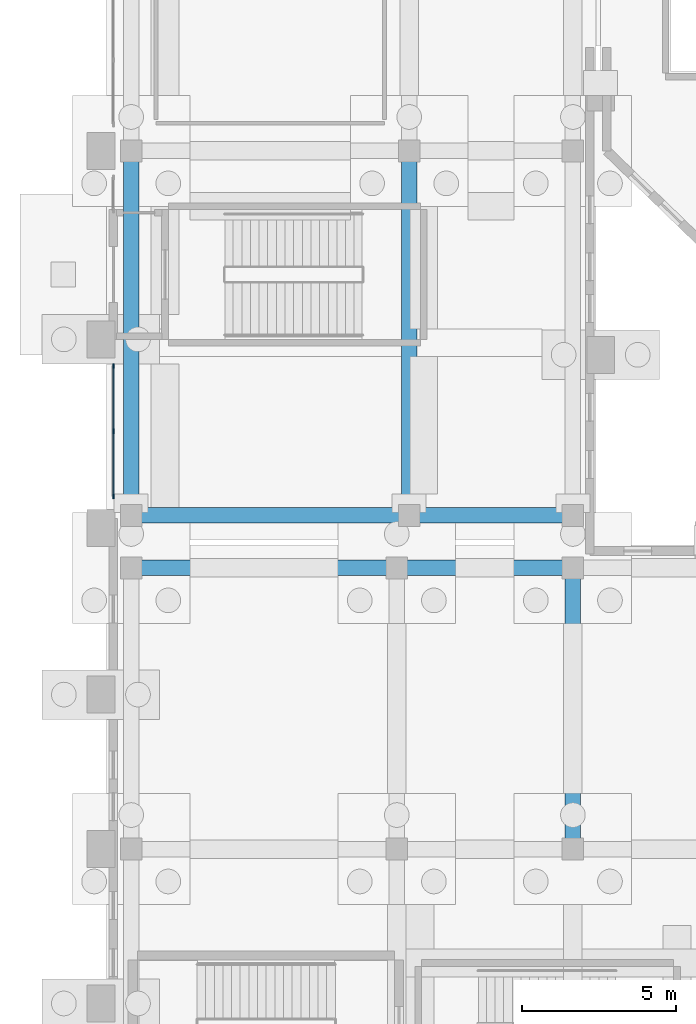
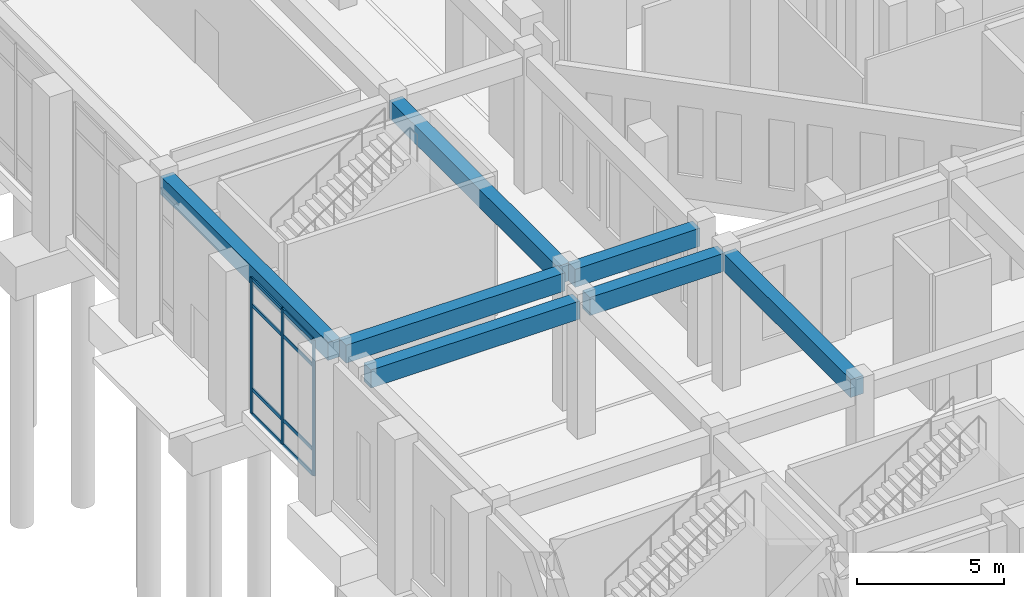
# One storey, part 23 of 143: 11 members, 7 beams, 1 element without a shape of its own.
"""IFC4 building model written with IfcOpenShell, lengths in metres."""

import ifcopenshell
import ifcopenshell.guid

model = None  # the IFC model being written
_history = None  # IfcOwnerHistory: only IFC2X3 demands one
_inside = {}  # id of a spatial element -> (the spatial element, [elements in it])
_under = {}  # id of a project, library or spatial element -> (it, [spatial elements below it])
_declared = {}  # id of a project -> (the project, [libraries it declares])
_typed = {}  # id of a type object -> (the type object, [elements of that type])
_made_of = {}  # id of a material, layer set ... -> (it, [elements and type objects made of it])


def new_model(schema):
    """Start an empty IFC model of exactly this schema.

    Asked for "IFC4X3", IfcOpenShell would pick the latest addendum, in which some entities
    have other attributes; the version numbers below select the first issue.
    IFC2X3 requires an IfcOwnerHistory on every rooted entity: one is made here for all.
    """
    global model, _history
    if schema == "IFC4X3":
        model = ifcopenshell.file(schema_version=(4, 3, 0, 0))
    else:
        model = ifcopenshell.file(schema=schema)
    _inside.clear()
    _under.clear()
    _declared.clear()
    _typed.clear()
    _made_of.clear()
    _history = None
    if model.schema == "IFC2X3":
        org = make("IfcOrganization", Name="unknown")
        user = make(
            "IfcPersonAndOrganization",
            ThePerson=make("IfcPerson", FamilyName="unknown"),
            TheOrganization=org,
        )
        app = make(
            "IfcApplication",
            ApplicationDeveloper=org,
            Version="unknown",
            ApplicationFullName="unknown",
            ApplicationIdentifier="unknown",
        )
        _history = make(
            "IfcOwnerHistory",
            OwningUser=user,
            OwningApplication=app,
            ChangeAction="ADDED",
            CreationDate=0,
        )
    return model


def make(cls, **values):
    """One entity of the class cls with the attributes given. An attribute that is None is left unset."""
    return model.create_entity(
        cls, **{name: value for name, value in values.items() if value is not None}
    )


def rooted(cls, **values):
    """An entity with a GlobalId (a new one), such as an element, a storey or a relation."""
    return make(cls, GlobalId=ifcopenshell.guid.new(), OwnerHistory=_history, **values)


def si_unit(unit_type, name, prefix=None):
    """IfcSIUnit, for example si_unit("LENGTHUNIT", "METRE", prefix="MILLI")."""
    return make("IfcSIUnit", UnitType=unit_type, Prefix=prefix, Name=name)


def derived_unit(unit_type, elements):
    """IfcDerivedUnit: a product of units, each with its exponent."""
    return make(
        "IfcDerivedUnit",
        Elements=[
            make("IfcDerivedUnitElement", Unit=unit, Exponent=power)
            for unit, power in elements
        ],
        UnitType=unit_type,
    )


def assignment(units):
    """IfcUnitAssignment: the units of a project."""
    return None if units is None else make("IfcUnitAssignment", Units=units)


def point(xyz):
    """IfcCartesianPoint."""
    return None if xyz is None else make("IfcCartesianPoint", Coordinates=xyz)


def direction(xyz):
    """IfcDirection."""
    return None if xyz is None else make("IfcDirection", DirectionRatios=xyz)


def frame(location, z_axis=None, x_axis=None):
    """IfcAxis2Placement3D, a coordinate frame: its origin and axes. An axis left out is left unset."""
    return make(
        "IfcAxis2Placement3D",
        Location=point(location),
        Axis=direction(z_axis),
        RefDirection=direction(x_axis),
    )


def frame_2d(location, x_axis=None):
    """IfcAxis2Placement2D, a coordinate frame in the plane: its origin and x axis."""
    return make(
        "IfcAxis2Placement2D", Location=point(location), RefDirection=direction(x_axis)
    )


def origin():
    """The frame at (0, 0, 0) with its axes left unset."""
    return frame((0.0, 0.0, 0.0))


def origin_2d():
    """The frame at (0, 0) in the plane with its x axis left unset."""
    return frame_2d((0.0, 0.0))


def place(relative_to, where):
    """IfcLocalPlacement: puts the frame where relative to a parent placement (None: the world)."""
    return make(
        "IfcLocalPlacement", PlacementRelTo=relative_to, RelativePlacement=where
    )


def context(
    kind, dimensions, precision=None, world=None, true_north=None, identifier=None
):
    """IfcGeometricRepresentationContext, for example the 3D "Model" context."""
    return make(
        "IfcGeometricRepresentationContext",
        ContextIdentifier=identifier,
        ContextType=kind,
        CoordinateSpaceDimension=dimensions,
        Precision=precision,
        WorldCoordinateSystem=world,
        TrueNorth=true_north,
    )


def subcontext(parent, identifier, kind, view, scale=None):
    """IfcGeometricRepresentationSubContext, for example "Body" below "Model"."""
    return make(
        "IfcGeometricRepresentationSubContext",
        ContextIdentifier=identifier,
        ContextType=kind,
        ParentContext=parent,
        TargetScale=scale,
        TargetView=view,
    )


def project(units=None, contexts=None):
    """IfcProject with its units and contexts."""
    return rooted(
        "IfcProject",
        Name="project",
        RepresentationContexts=contexts,
        UnitsInContext=assignment(units),
    )


def spatial(cls, under=None, at=None, **own):
    """A site, building, storey or space (cls), placed at a placement, below another one or the project."""
    s = rooted(cls, ObjectPlacement=at, **own)
    if under is not None:
        _under.setdefault(under.id(), (under, []))[1].append(s)
    return s


def profile(cls, at=None, kind="AREA", **sizes):
    """A parametric profile (cls). Its sizes go by their IFC names, for example OverallWidth=200.0."""
    return make(cls, ProfileType=kind, Position=at, **sizes)


def rectangle(**sizes):
    """IfcRectangleProfileDef."""
    return profile("IfcRectangleProfileDef", **sizes)


def extrude(swept, where, along, depth):
    """IfcExtrudedAreaSolid: the profile swept, set in the frame where, extruded along a direction by depth."""
    return make(
        "IfcExtrudedAreaSolid",
        SweptArea=swept,
        Position=where,
        ExtrudedDirection=direction(along),
        Depth=depth,
    )


def shape(context_of_items, identifier, shape_type, items):
    """IfcShapeRepresentation: the items that make up one representation, for example the "Body"."""
    return make(
        "IfcShapeRepresentation",
        ContextOfItems=context_of_items,
        RepresentationIdentifier=identifier,
        RepresentationType=shape_type,
        Items=items,
    )


def material(Name=None, Category=None):
    """IfcMaterial."""
    return make("IfcMaterial", Name=Name, Category=Category)


def layer(
    of_material, thickness, ventilated=None, Name=None, Category=None, Priority=None
):
    """IfcMaterialLayer: one layer of a wall or slab, of a material (None: an air gap)."""
    return make(
        "IfcMaterialLayer",
        Material=of_material,
        LayerThickness=thickness,
        IsVentilated=ventilated,
        Name=Name,
        Category=Category,
        Priority=Priority,
    )


def layer_set(layers, Name=None):
    """IfcMaterialLayerSet."""
    return make("IfcMaterialLayerSet", MaterialLayers=layers, LayerSetName=Name)


def material_profile(
    of_material, cross_section, Name=None, Category=None, Priority=None
):
    """IfcMaterialProfile: a cross section and its material."""
    return make(
        "IfcMaterialProfile",
        Name=Name,
        Material=of_material,
        Profile=cross_section,
        Priority=Priority,
        Category=Category,
    )


def profile_set(profiles, Name=None, composite=None):
    """IfcMaterialProfileSet."""
    return make(
        "IfcMaterialProfileSet",
        Name=Name,
        MaterialProfiles=profiles,
        CompositeProfile=composite,
    )


def made_of(thing, what):
    """Note that an element or type object is made of a material, layer set ...; save() writes the relation."""
    if what is not None:
        _made_of.setdefault(what.id(), (what, []))[1].append(thing)
    return thing


def type_object(cls, material=None, **own):
    """A type object (cls), such as IfcWallType, which elements share."""
    return made_of(rooted(cls, **own), material)


def element(
    cls,
    number,
    at=None,
    inside=None,
    cuts=None,
    type_object=None,
    material=None,
    context=None,
    identifier="Body",
    shape_type=None,
    held_by="IfcProductDefinitionShape",
    body=None,
    shapes=None,
    **own,
):
    """One element of the class cls, such as IfcWall. Its Tag is "e" and its number.

    at: its placement. inside: the storey or other place that contains it. cuts: it is an
    opening in that element (IfcRelVoidsElement). A single representation is given by context,
    identifier, shape_type and body (its items); several are given by shapes. held_by: the class
    of the entity that holds the representations. save() writes the other relations.
    """
    e = rooted(cls, Tag="e%d" % number, ObjectPlacement=at, **own)
    if body is not None:
        shapes = [shape(context, identifier, shape_type, body)]
    if shapes is not None:
        e.Representation = make(held_by, Representations=shapes)
    if inside is not None:
        _inside.setdefault(inside.id(), (inside, []))[1].append(e)
    if cuts is not None:
        rooted(
            "IfcRelVoidsElement", RelatingBuildingElement=cuts, RelatedOpeningElement=e
        )
    if type_object is not None:
        _typed.setdefault(type_object.id(), (type_object, []))[1].append(e)
    return made_of(e, material)


def aggregate(whole, parts):
    """IfcRelAggregates: a whole, such as a stair, and the parts it consists of."""
    return rooted("IfcRelAggregates", RelatingObject=whole, RelatedObjects=parts)


def save(model, path):
    """Write the relations noted so far, then the file.

    IfcRelAggregates (storeys below a building ...), IfcRelContainedInSpatialStructure (elements
    in a storey), IfcRelDefinesByType, IfcRelAssociatesMaterial and IfcRelDeclares: one each for
    every whole, place, type object, material and project.
    """
    for whole, parts in _under.values():
        aggregate(whole, parts)
    for where, things in _inside.values():
        rooted(
            "IfcRelContainedInSpatialStructure",
            RelatedElements=things,
            RelatingStructure=where,
        )
    for kind, things in _typed.values():
        rooted("IfcRelDefinesByType", RelatedObjects=things, RelatingType=kind)
    for what, things in _made_of.values():
        rooted("IfcRelAssociatesMaterial", RelatedObjects=things, RelatingMaterial=what)
    for by, libraries in _declared.values():
        rooted("IfcRelDeclares", RelatingContext=by, RelatedDefinitions=libraries)
    model.write(path)


model = new_model("IFC4")

# Units and contexts
model_context = context("Model", 3, precision=1e-05, world=origin(), true_north=direction((0.0, 1.0)))
body_context = subcontext(model_context, "Body", "Model", "MODEL_VIEW")
ifc_project = project(units=[si_unit("LENGTHUNIT", "METRE"), si_unit("AREAUNIT", "SQUARE_METRE"), si_unit("VOLUMEUNIT", "CUBIC_METRE"), si_unit("PLANEANGLEUNIT", "RADIAN"), si_unit("MASSUNIT", "GRAM", prefix="KILO"), derived_unit("THERMALTRANSMITTANCEUNIT", [(si_unit("MASSUNIT", "GRAM", prefix="KILO"), 1), (si_unit("TIMEUNIT", "SECOND"), -3), (si_unit("THERMODYNAMICTEMPERATUREUNIT", "KELVIN"), -1)])], contexts=[model_context])

# Site, building, storey
site_placement = place(None, origin())
site = spatial("IfcSite", under=ifc_project, at=site_placement, CompositionType="ELEMENT")
building_placement = place(site_placement, origin())
building = spatial("IfcBuilding", under=site, at=building_placement, Name="Valcora Ridge Arena", CompositionType="ELEMENT")
storey_placement = place(building_placement, origin())
storey = spatial("IfcBuildingStorey", under=building, at=storey_placement, Name="L00", CompositionType="ELEMENT", Elevation=0.0)

# Beams
ifc_material_1 = material(Name="Concrete C40/50", Category="concrete")
ifc_material_profile_1 = material_profile(ifc_material_1, rectangle(XDim=0.5, YDim=0.75, at=origin_2d()), Name="RC 500x750")
ifc_profile_set_1 = profile_set([ifc_material_profile_1], Name="Concrete C40/50")
beam_type_1 = type_object("IfcBeamType", Name="TY-BEAM-B-RC500-X", PredefinedType="BEAM", material=ifc_profile_set_1)
beam_1_placement = place(storey_placement, frame((1.0, 19.10009765625, 5.264892578125), z_axis=(1.0, 0.0, 0.0), x_axis=(0.0, 1.0, 0.0)))
element("IfcBeam", 1, at=beam_1_placement, inside=storey, type_object=beam_type_1, Name="B-RC500-X BEM-B-RC500-X-0008", PredefinedType="BEAM", context=body_context, shape_type="SweptSolid", body=[
    extrude(rectangle(XDim=0.5, YDim=0.75, at=origin_2d()), origin(), (0.0, 0.0, 1.0), 8.199951171875),
])
beam_2_placement = place(storey_placement, frame((9.60009765625, 19.10009765625, 5.264892578125), z_axis=(1.0, 0.0, 0.0), x_axis=(0.0, 1.0, 0.0)))
element("IfcBeam", 2, at=beam_2_placement, inside=storey, type_object=beam_type_1, Name="B-RC500-X BEM-B-RC500-X-0009", PredefinedType="BEAM", context=body_context, shape_type="SweptSolid", body=[
    extrude(rectangle(XDim=0.5, YDim=0.75, at=origin_2d()), origin(), (0.0, 0.0, 1.0), 5.2998046875),
])
beam_3_placement = place(storey_placement, frame((1.0, 20.800048828125, 5.264892578125), z_axis=(1.0, 0.0, 0.0), x_axis=(0.0, 1.0, 0.0)))
element("IfcBeam", 3, at=beam_3_placement, inside=storey, type_object=beam_type_1, Name="B-RC500-X BEM-B-RC500-X-0015", PredefinedType="BEAM", context=body_context, shape_type="SweptSolid", body=[
    extrude(rectangle(XDim=0.5, YDim=0.75, at=origin_2d()), origin(), (0.0, 0.0, 1.0), 8.60009765625),
])
beam_4_placement = place(storey_placement, frame((10.0, 20.800048828125, 5.264892578125), z_axis=(1.0, 0.0, 0.0), x_axis=(0.0, 1.0, 0.0)))
element("IfcBeam", 4, at=beam_4_placement, inside=storey, type_object=beam_type_1, Name="B-RC500-X BEM-B-RC500-X-0016", PredefinedType="BEAM", context=body_context, shape_type="SweptSolid", body=[
    extrude(rectangle(XDim=0.5, YDim=0.75, at=origin_2d()), origin(), (0.0, 0.0, 1.0), 4.89990234375),
])
ifc_material_profile_2 = material_profile(ifc_material_1, rectangle(XDim=0.5, YDim=0.75, at=origin_2d()), Name="RC 500x750")
ifc_profile_set_2 = profile_set([ifc_material_profile_2], Name="Concrete C40/50")
beam_type_2 = type_object("IfcBeamType", Name="TY-BEAM-B-RC500-Y", PredefinedType="BEAM", material=ifc_profile_set_2)
for number, where, z_axis, x_axis, name in (
    (5, (0.800048828125, 21.0, 5.264892578125), (0.0, 1.0, 0.0), (-1.0, 0.0, 0.0), "B-RC500-Y BEM-B-RC500-Y-0003"),
    (6, (9.800048828125, 21.0, 5.264892578125), (0.0, 1.0, 0.0), (-1.0, 0.0, 0.0), "B-RC500-Y BEM-B-RC500-Y-0011"),
):
    element("IfcBeam", number, at=place(storey_placement, frame(where, z_axis=z_axis, x_axis=x_axis)), inside=storey, type_object=beam_type_2, Name=name, PredefinedType="BEAM", context=body_context, shape_type="SweptSolid", body=[
        extrude(rectangle(XDim=0.5, YDim=0.75, at=origin_2d()), origin(), (0.0, 0.0, 1.0), 11.39990234375),
    ])
beam_5_placement = place(storey_placement, frame((15.10009765625, 10.199951171875, 5.264892578125), z_axis=(0.0, 1.0, 0.0), x_axis=(-1.0, 0.0, 0.0)))
element("IfcBeam", 7, at=beam_5_placement, inside=storey, type_object=beam_type_2, Name="B-RC500-Y BEM-B-RC500-Y-0017", PredefinedType="BEAM", context=body_context, shape_type="SweptSolid", body=[
    extrude(rectangle(XDim=0.5, YDim=0.75, at=origin_2d()), origin(), (0.0, 0.0, 1.0), 8.699951171875),
])

# Curtain wall, members
ifc_material_2 = material(Name="Anodised dark bronze architectural aluminium 6063-T6", Category="aluminium")
ifc_layer = layer(ifc_material_2, 0.14990234375, Name="Anodised dark bronze architectural aluminium 6063-T6")
ifc_layer_set = layer_set([ifc_layer], Name="Anodised dark bronze architectural aluminium 6063-T6")
curtain_wall_type = type_object("IfcCurtainWallType", Name="TY-CURTAINWALL-CW-V4-CLUB-043X56", PredefinedType="NOTDEFINED", material=ifc_layer_set)
curtain_wall_placement = place(storey_placement, origin())
curtain_wall = element("IfcCurtainWall", 8, at=curtain_wall_placement, inside=storey, type_object=curtain_wall_type, Name="CW-V4-CLUB-043X56 CW-0190", PredefinedType="NOTDEFINED")
ifc_material_profile_3 = material_profile(ifc_material_2, rectangle(XDim=0.050048828125, YDim=0.14990234375, at=origin_2d()), Name="ALU MULLION 50x150")
ifc_profile_set_3 = profile_set([ifc_material_profile_3], Name="Anodised dark bronze architectural aluminium 6063-T6")
member_type_1 = type_object("IfcMemberType", Name="TY-MEM-CWM-50x150", PredefinedType="MULLION", material=ifc_profile_set_3)
member_1_placement = place(storey_placement, frame((0.219970703125, 21.4150390625, 0.0), z_axis=(0.0, 0.0, 1.0), x_axis=(-1.0, 0.0, 0.0)))
member_1 = element("IfcMember", 9, at=member_1_placement, type_object=member_type_1, Name="CW-0190/CWM-50x150/M00", PredefinedType="MULLION", context=body_context, shape_type="SweptSolid", body=[
    extrude(rectangle(XDim=0.050048828125, YDim=0.14990234375, at=origin_2d()), origin(), (0.0, 0.0, 1.0), 5.639892578125),
])
member_2_placement = place(storey_placement, frame((0.219970703125, 23.52490234375, 0.0), z_axis=(0.0, 0.0, 1.0), x_axis=(-1.0, 0.0, 0.0)))
member_2 = element("IfcMember", 10, at=member_2_placement, type_object=member_type_1, Name="CW-0190/CWM-50x150/M01", PredefinedType="MULLION", context=body_context, shape_type="SweptSolid", body=[
    extrude(rectangle(XDim=0.050048828125, YDim=0.14990234375, at=origin_2d()), origin(), (0.0, 0.0, 1.0), 5.639892578125),
])
member_3_placement = place(storey_placement, frame((0.219970703125, 25.635009765625, 0.0), z_axis=(0.0, 0.0, 1.0), x_axis=(-1.0, 0.0, 0.0)))
member_3 = element("IfcMember", 11, at=member_3_placement, type_object=member_type_1, Name="CW-0190/CWM-50x150/M02", PredefinedType="MULLION", context=body_context, shape_type="SweptSolid", body=[
    extrude(rectangle(XDim=0.050048828125, YDim=0.14990234375, at=origin_2d()), origin(), (0.0, 0.0, 1.0), 5.639892578125),
])
ifc_material_profile_4 = material_profile(ifc_material_2, rectangle(XDim=0.050048828125, YDim=0.14990234375, at=origin_2d()), Name="ALU TRANSOM 50x150")
ifc_profile_set_4 = profile_set([ifc_material_profile_4], Name="Anodised dark bronze architectural aluminium 6063-T6")
member_type_2 = type_object("IfcMemberType", Name="TY-MEM-CWT-50x150", PredefinedType="USERDEFINED", material=ifc_profile_set_4)
member_4_placement = place(storey_placement, frame((0.219970703125, 21.43994140625, 0.02490234375), z_axis=(0.0, 1.0, 0.0), x_axis=(-1.0, 0.0, 0.0)))
member_4 = element("IfcMember", 12, at=member_4_placement, type_object=member_type_2, Name="CW-0190/CWT-50x150/T00-00", ObjectType="TRANSOM", PredefinedType="USERDEFINED", context=body_context, shape_type="SweptSolid", body=[
    extrude(rectangle(XDim=0.050048828125, YDim=0.14990234375, at=origin_2d()), origin(), (0.0, 0.0, 1.0), 2.06005859375),
])
member_5_placement = place(storey_placement, frame((0.219970703125, 21.43994140625, 1.050048828125), z_axis=(0.0, 1.0, 0.0), x_axis=(-1.0, 0.0, 0.0)))
member_5 = element("IfcMember", 13, at=member_5_placement, type_object=member_type_2, Name="CW-0190/CWT-50x150/T00-01", ObjectType="TRANSOM", PredefinedType="USERDEFINED", context=body_context, shape_type="SweptSolid", body=[
    extrude(rectangle(XDim=0.050048828125, YDim=0.14990234375, at=origin_2d()), origin(), (0.0, 0.0, 1.0), 2.06005859375),
])
member_6_placement = place(storey_placement, frame((0.219970703125, 21.43994140625, 4.5400390625), z_axis=(0.0, 1.0, 0.0), x_axis=(-1.0, 0.0, 0.0)))
member_6 = element("IfcMember", 14, at=member_6_placement, type_object=member_type_2, Name="CW-0190/CWT-50x150/T00-02", ObjectType="TRANSOM", PredefinedType="USERDEFINED", context=body_context, shape_type="SweptSolid", body=[
    extrude(rectangle(XDim=0.050048828125, YDim=0.14990234375, at=origin_2d()), origin(), (0.0, 0.0, 1.0), 2.06005859375),
])
member_7_placement = place(storey_placement, frame((0.219970703125, 21.43994140625, 5.614990234375), z_axis=(0.0, 1.0, 0.0), x_axis=(-1.0, 0.0, 0.0)))
member_7 = element("IfcMember", 15, at=member_7_placement, type_object=member_type_2, Name="CW-0190/CWT-50x150/T00-03", ObjectType="TRANSOM", PredefinedType="USERDEFINED", context=body_context, shape_type="SweptSolid", body=[
    extrude(rectangle(XDim=0.050048828125, YDim=0.14990234375, at=origin_2d()), origin(), (0.0, 0.0, 1.0), 2.06005859375),
])
member_8_placement = place(storey_placement, frame((0.219970703125, 23.550048828125, 0.02490234375), z_axis=(0.0, 1.0, 0.0), x_axis=(-1.0, 0.0, 0.0)))
member_8 = element("IfcMember", 16, at=member_8_placement, type_object=member_type_2, Name="CW-0190/CWT-50x150/T01-00", ObjectType="TRANSOM", PredefinedType="USERDEFINED", context=body_context, shape_type="SweptSolid", body=[
    extrude(rectangle(XDim=0.050048828125, YDim=0.14990234375, at=origin_2d()), origin(), (0.0, 0.0, 1.0), 2.06005859375),
])
member_9_placement = place(storey_placement, frame((0.219970703125, 23.550048828125, 1.050048828125), z_axis=(0.0, 1.0, 0.0), x_axis=(-1.0, 0.0, 0.0)))
member_9 = element("IfcMember", 17, at=member_9_placement, type_object=member_type_2, Name="CW-0190/CWT-50x150/T01-01", ObjectType="TRANSOM", PredefinedType="USERDEFINED", context=body_context, shape_type="SweptSolid", body=[
    extrude(rectangle(XDim=0.050048828125, YDim=0.14990234375, at=origin_2d()), origin(), (0.0, 0.0, 1.0), 2.06005859375),
])
member_10_placement = place(storey_placement, frame((0.219970703125, 23.550048828125, 4.5400390625), z_axis=(0.0, 1.0, 0.0), x_axis=(-1.0, 0.0, 0.0)))
member_10 = element("IfcMember", 18, at=member_10_placement, type_object=member_type_2, Name="CW-0190/CWT-50x150/T01-02", ObjectType="TRANSOM", PredefinedType="USERDEFINED", context=body_context, shape_type="SweptSolid", body=[
    extrude(rectangle(XDim=0.050048828125, YDim=0.14990234375, at=origin_2d()), origin(), (0.0, 0.0, 1.0), 2.06005859375),
])
member_11_placement = place(storey_placement, frame((0.219970703125, 23.550048828125, 5.614990234375), z_axis=(0.0, 1.0, 0.0), x_axis=(-1.0, 0.0, 0.0)))
member_11 = element("IfcMember", 19, at=member_11_placement, type_object=member_type_2, Name="CW-0190/CWT-50x150/T01-03", ObjectType="TRANSOM", PredefinedType="USERDEFINED", context=body_context, shape_type="SweptSolid", body=[
    extrude(rectangle(XDim=0.050048828125, YDim=0.14990234375, at=origin_2d()), origin(), (0.0, 0.0, 1.0), 2.06005859375),
])
aggregate(curtain_wall, [member_1, member_2, member_3, member_4, member_5, member_6, member_7, member_8, member_9, member_10, member_11])

save(model, "model.ifc")
